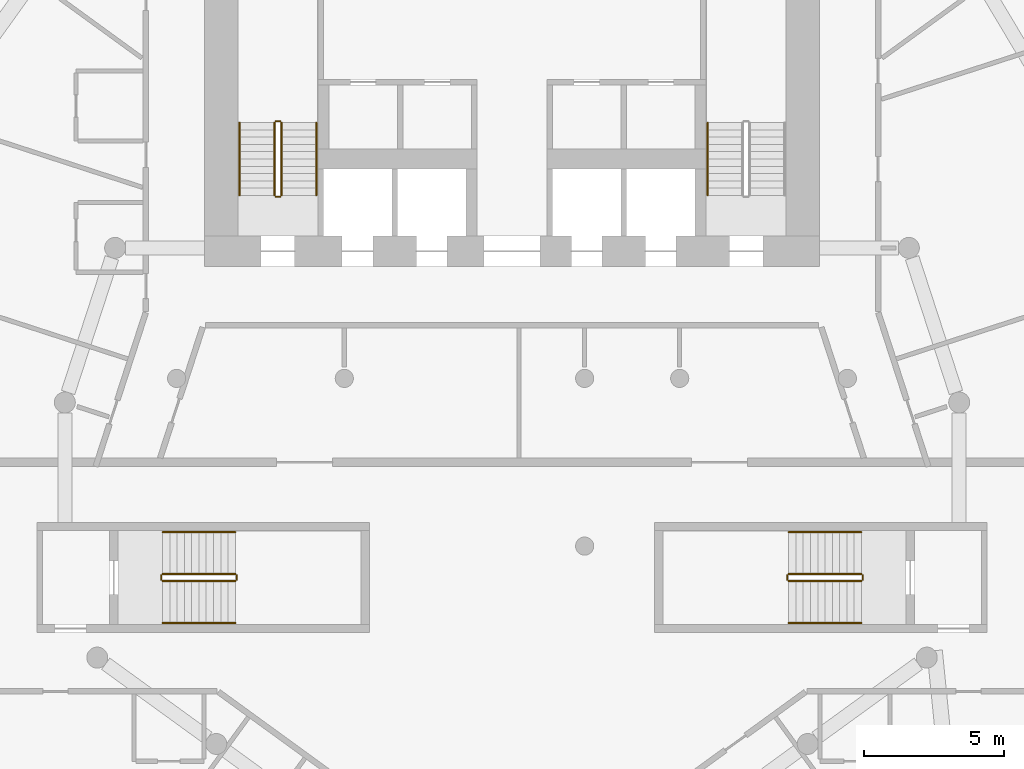
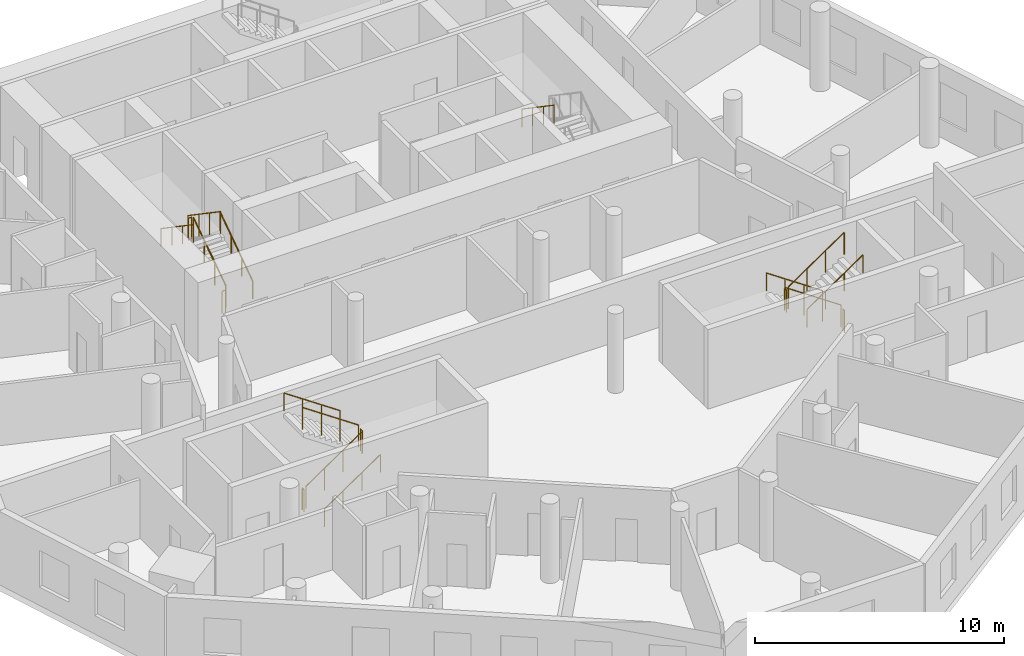
# One storey, part 8 of 9: 19 railings.
"""IFC4 building model written with IfcOpenShell, lengths in metres."""

from ifc_helpers import new_model, si_unit, direction, frame, origin, origin_2d, place, context, subcontext, project, spatial, circle, extrude, material, type_object, element, save


model = new_model("IFC4")

# Units and contexts
model_context = context("Model", 3, precision=1e-05, world=origin(), true_north=direction((0.0, 1.0)))
body_context = subcontext(model_context, "Body", "Model", "MODEL_VIEW")
ifc_project = project(units=[si_unit("LENGTHUNIT", "METRE"), si_unit("AREAUNIT", "SQUARE_METRE"), si_unit("VOLUMEUNIT", "CUBIC_METRE"), si_unit("PLANEANGLEUNIT", "RADIAN"), si_unit("MASSUNIT", "GRAM", prefix="KILO")], contexts=[model_context])

# Site, building, storey
site_placement = place(None, origin())
site = spatial("IfcSite", under=ifc_project, at=site_placement, CompositionType="ELEMENT")
building_placement = place(site_placement, origin())
building = spatial("IfcBuilding", under=site, at=building_placement, Name="White Candle Pilgrim Tower", CompositionType="ELEMENT")
storey_placement = place(building_placement, frame((0.0, 0.0, 122.0)))
storey = spatial("IfcBuildingStorey", under=building, at=storey_placement, Name="L27", CompositionType="ELEMENT", Elevation=122.0)

# Railings
ifc_material = material(Name="Stainless steel", Category="steel")
railing_type_1 = type_object("IfcRailingType", Name="Stair guard stainless steel 1100 mm", PredefinedType="GUARDRAIL", material=ifc_material)
railing_1_placement = place(storey_placement, frame((61.75, 73.550048828125, 0.17724609375)))
element("IfcRailing", 1, at=railing_1_placement, inside=storey, type_object=railing_type_1, Name="L27 ST1 stair guard 1", PredefinedType="GUARDRAIL", context=body_context, shape_type="SweptSolid", body=[
    extrude(circle(Radius=0.02392578125, at=origin_2d()), frame((0.0, 0.0, 1.076171875), z_axis=(0.0, 0.826215852431, 0.563353676824), x_axis=(-1.0, 0.0, 0.0)), (0.0, 0.0, 1.0), 3.146728515625),
    extrude(circle(Radius=0.02099609375, at=origin_2d()), origin(), (0.0, 0.0, 1.0), 1.052001953125),
    extrude(circle(Radius=0.02099609375, at=origin_2d()), frame((0.0, 0.86669921875, 0.5908203125)), (0.0, 0.0, 1.0), 1.052001953125),
    extrude(circle(Radius=0.02099609375, at=origin_2d()), frame((0.0, 1.733154296875, 1.181884765625)), (0.0, 0.0, 1.0), 1.052001953125),
    extrude(circle(Radius=0.02099609375, at=origin_2d()), frame((0.0, 2.599853515625, 1.772705078125)), (0.0, 0.0, 1.0), 1.052001953125),
])
railing_2_placement = place(storey_placement, frame((61.699951171875, 76.199951171875, 1.949951171875)))
element("IfcRailing", 2, at=railing_2_placement, inside=storey, type_object=railing_type_1, Name="L27 ST1 stair guard 2", PredefinedType="GUARDRAIL", context=body_context, shape_type="SweptSolid", body=[
    extrude(circle(Radius=0.02392578125, at=origin_2d()), frame((0.0, 0.0, 1.076171875), z_axis=(-1.0, 0.0, 0.0), x_axis=(0.0, -1.0, 0.0)), (0.0, 0.0, 1.0), 0.14990234375),
    extrude(circle(Radius=0.02099609375, at=origin_2d()), origin(), (0.0, 0.0, 1.0), 1.052001953125),
    extrude(circle(Radius=0.02099609375, at=origin_2d()), frame((-0.14990234375, 0.0, 0.0)), (0.0, 0.0, 1.0), 1.052001953125),
])
railing_3_placement = place(storey_placement, frame((61.5, 76.14990234375, 2.127197265625)))
element("IfcRailing", 3, at=railing_3_placement, inside=storey, type_object=railing_type_1, Name="L27 ST1 stair guard 3", PredefinedType="GUARDRAIL", context=body_context, shape_type="SweptSolid", body=[
    extrude(circle(Radius=0.02392578125, at=origin_2d()), frame((0.0, 0.0, 1.076171875), z_axis=(0.0, -0.826215852431, 0.563353676824), x_axis=(1.0, 0.0, 0.0)), (0.0, 0.0, 1.0), 3.146728515625),
    extrude(circle(Radius=0.02099609375, at=origin_2d()), origin(), (0.0, 0.0, 1.0), 1.052001953125),
    extrude(circle(Radius=0.02099609375, at=origin_2d()), frame((0.0, -0.86669921875, 0.5908203125)), (0.0, 0.0, 1.0), 1.052001953125),
    extrude(circle(Radius=0.02099609375, at=origin_2d()), frame((0.0, -1.733154296875, 1.181884765625)), (0.0, 0.0, 1.0), 1.052001953125),
    extrude(circle(Radius=0.02099609375, at=origin_2d()), frame((0.0, -2.599853515625, 1.772705078125)), (0.0, 0.0, 1.0), 1.052001953125),
])
railing_4_placement = place(storey_placement, frame((61.699951171875, 73.5, 0.0)))
element("IfcRailing", 4, at=railing_4_placement, inside=storey, type_object=railing_type_1, Name="L27 ST1 stair guard 4", PredefinedType="GUARDRAIL", context=body_context, shape_type="SweptSolid", body=[
    extrude(circle(Radius=0.02392578125, at=origin_2d()), frame((0.0, 0.0, 1.076171875), z_axis=(-1.0, 0.0, 0.0), x_axis=(0.0, -1.0, 0.0)), (0.0, 0.0, 1.0), 0.14990234375),
    extrude(circle(Radius=0.02099609375, at=origin_2d()), origin(), (0.0, 0.0, 1.0), 1.052001953125),
    extrude(circle(Radius=0.02099609375, at=origin_2d()), frame((-0.14990234375, 0.0, 0.0)), (0.0, 0.0, 1.0), 1.052001953125),
])
railing_5_placement = place(storey_placement, frame((82.5, 60.0, 0.17724609375)))
element("IfcRailing", 5, at=railing_5_placement, inside=storey, type_object=railing_type_1, Name="L27 ST4 stair guard 1", PredefinedType="GUARDRAIL", context=body_context, shape_type="SweptSolid", body=[
    extrude(circle(Radius=0.02392578125, at=origin_2d()), frame((0.0, 0.0, 1.076171875), z_axis=(-0.826240473404, 0.0, 0.563317565952), x_axis=(0.0, -1.0, 0.0)), (0.0, 0.0, 1.0), 3.14697265625),
    extrude(circle(Radius=0.02099609375, at=origin_2d()), origin(), (0.0, 0.0, 1.0), 1.052001953125),
    extrude(circle(Radius=0.02099609375, at=origin_2d()), frame((-0.86669921875, 0.0, 0.5908203125)), (0.0, 0.0, 1.0), 1.052001953125),
    extrude(circle(Radius=0.02099609375, at=origin_2d()), frame((-1.7333984375, 0.0, 1.181884765625)), (0.0, 0.0, 1.0), 1.052001953125),
    extrude(circle(Radius=0.02099609375, at=origin_2d()), frame((-2.60009765625, 0.0, 1.772705078125)), (0.0, 0.0, 1.0), 1.052001953125),
])
railing_6_placement = place(storey_placement, frame((79.85009765625, 59.949951171875, 1.949951171875)))
element("IfcRailing", 6, at=railing_6_placement, inside=storey, type_object=railing_type_1, Name="L27 ST4 stair guard 2", PredefinedType="GUARDRAIL", context=body_context, shape_type="SweptSolid", body=[
    extrude(circle(Radius=0.02392578125, at=origin_2d()), frame((0.0, 0.0, 1.076171875), z_axis=(0.0, -1.0, 0.0), x_axis=(1.0, 0.0, 0.0)), (0.0, 0.0, 1.0), 0.14990234375),
    extrude(circle(Radius=0.02099609375, at=origin_2d()), origin(), (0.0, 0.0, 1.0), 1.052001953125),
    extrude(circle(Radius=0.02099609375, at=origin_2d()), frame((0.0, -0.14990234375, 0.0)), (0.0, 0.0, 1.0), 1.052001953125),
])
railing_7_placement = place(storey_placement, frame((79.89990234375, 59.75, 2.127197265625)))
element("IfcRailing", 7, at=railing_7_placement, inside=storey, type_object=railing_type_1, Name="L27 ST4 stair guard 3", PredefinedType="GUARDRAIL", context=body_context, shape_type="SweptSolid", body=[
    extrude(circle(Radius=0.02392578125, at=origin_2d()), frame((0.0, 0.0, 1.076171875), z_axis=(0.826240473404, 0.0, 0.563317565952), x_axis=(0.0, 1.0, 0.0)), (0.0, 0.0, 1.0), 3.14697265625),
    extrude(circle(Radius=0.02099609375, at=origin_2d()), origin(), (0.0, 0.0, 1.0), 1.052001953125),
    extrude(circle(Radius=0.02099609375, at=origin_2d()), frame((0.86669921875, 0.0, 0.5908203125)), (0.0, 0.0, 1.0), 1.052001953125),
    extrude(circle(Radius=0.02099609375, at=origin_2d()), frame((1.7333984375, 0.0, 1.181884765625)), (0.0, 0.0, 1.0), 1.052001953125),
    extrude(circle(Radius=0.02099609375, at=origin_2d()), frame((2.60009765625, 0.0, 1.772705078125)), (0.0, 0.0, 1.0), 1.052001953125),
])
railing_8_placement = place(storey_placement, frame((82.550048828125, 59.949951171875, 0.0)))
element("IfcRailing", 8, at=railing_8_placement, inside=storey, type_object=railing_type_1, Name="L27 ST4 stair guard 4", PredefinedType="GUARDRAIL", context=body_context, shape_type="SweptSolid", body=[
    extrude(circle(Radius=0.02392578125, at=origin_2d()), frame((0.0, 0.0, 1.076171875), z_axis=(0.0, -1.0, 0.0), x_axis=(1.0, 0.0, 0.0)), (0.0, 0.0, 1.0), 0.14990234375),
    extrude(circle(Radius=0.02099609375, at=origin_2d()), origin(), (0.0, 0.0, 1.0), 1.052001953125),
    extrude(circle(Radius=0.02099609375, at=origin_2d()), frame((0.0, -0.14990234375, 0.0)), (0.0, 0.0, 1.0), 1.052001953125),
])
railing_9_placement = place(storey_placement, frame((57.5, 59.75, 0.17724609375)))
element("IfcRailing", 9, at=railing_9_placement, inside=storey, type_object=railing_type_1, Name="L27 ST5 stair guard 1", PredefinedType="GUARDRAIL", context=body_context, shape_type="SweptSolid", body=[
    extrude(circle(Radius=0.02392578125, at=origin_2d()), frame((0.0, 0.0, 1.076171875), z_axis=(0.826240473404, 0.0, 0.563317565952), x_axis=(0.0, 1.0, 0.0)), (0.0, 0.0, 1.0), 3.14697265625),
    extrude(circle(Radius=0.02099609375, at=origin_2d()), origin(), (0.0, 0.0, 1.0), 1.052001953125),
    extrude(circle(Radius=0.02099609375, at=origin_2d()), frame((0.86669921875, 0.0, 0.5908203125)), (0.0, 0.0, 1.0), 1.052001953125),
    extrude(circle(Radius=0.02099609375, at=origin_2d()), frame((1.7333984375, 0.0, 1.181884765625)), (0.0, 0.0, 1.0), 1.052001953125),
    extrude(circle(Radius=0.02099609375, at=origin_2d()), frame((2.60009765625, 0.0, 1.772705078125)), (0.0, 0.0, 1.0), 1.052001953125),
])
railing_10_placement = place(storey_placement, frame((60.14990234375, 59.800048828125, 1.949951171875)))
element("IfcRailing", 10, at=railing_10_placement, inside=storey, type_object=railing_type_1, Name="L27 ST5 stair guard 2", PredefinedType="GUARDRAIL", context=body_context, shape_type="SweptSolid", body=[
    extrude(circle(Radius=0.02392578125, at=origin_2d()), frame((0.0, 0.0, 1.076171875), z_axis=(0.0, 1.0, 0.0), x_axis=(-1.0, 0.0, 0.0)), (0.0, 0.0, 1.0), 0.14990234375),
    extrude(circle(Radius=0.02099609375, at=origin_2d()), origin(), (0.0, 0.0, 1.0), 1.052001953125),
    extrude(circle(Radius=0.02099609375, at=origin_2d()), frame((0.0, 0.14990234375, 0.0)), (0.0, 0.0, 1.0), 1.052001953125),
])
railing_11_placement = place(storey_placement, frame((60.10009765625, 60.0, 2.127197265625)))
element("IfcRailing", 11, at=railing_11_placement, inside=storey, type_object=railing_type_1, Name="L27 ST5 stair guard 3", PredefinedType="GUARDRAIL", context=body_context, shape_type="SweptSolid", body=[
    extrude(circle(Radius=0.02392578125, at=origin_2d()), frame((0.0, 0.0, 1.076171875), z_axis=(-0.826240473404, 0.0, 0.563317565952), x_axis=(0.0, -1.0, 0.0)), (0.0, 0.0, 1.0), 3.14697265625),
    extrude(circle(Radius=0.02099609375, at=origin_2d()), origin(), (0.0, 0.0, 1.0), 1.052001953125),
    extrude(circle(Radius=0.02099609375, at=origin_2d()), frame((-0.86669921875, 0.0, 0.5908203125)), (0.0, 0.0, 1.0), 1.052001953125),
    extrude(circle(Radius=0.02099609375, at=origin_2d()), frame((-1.7333984375, 0.0, 1.181884765625)), (0.0, 0.0, 1.0), 1.052001953125),
    extrude(circle(Radius=0.02099609375, at=origin_2d()), frame((-2.60009765625, 0.0, 1.772705078125)), (0.0, 0.0, 1.0), 1.052001953125),
])
railing_12_placement = place(storey_placement, frame((57.449951171875, 59.800048828125, 0.0)))
element("IfcRailing", 12, at=railing_12_placement, inside=storey, type_object=railing_type_1, Name="L27 ST5 stair guard 4", PredefinedType="GUARDRAIL", context=body_context, shape_type="SweptSolid", body=[
    extrude(circle(Radius=0.02392578125, at=origin_2d()), frame((0.0, 0.0, 1.076171875), z_axis=(0.0, 1.0, 0.0), x_axis=(-1.0, 0.0, 0.0)), (0.0, 0.0, 1.0), 0.14990234375),
    extrude(circle(Radius=0.02099609375, at=origin_2d()), origin(), (0.0, 0.0, 1.0), 1.052001953125),
    extrude(circle(Radius=0.02099609375, at=origin_2d()), frame((0.0, 0.14990234375, 0.0)), (0.0, 0.0, 1.0), 1.052001953125),
])
railing_type_2 = type_object("IfcRailingType", Name="Stair handrail stainless steel", PredefinedType="HANDRAIL", material=ifc_material)
railing_13_placement = place(storey_placement, frame((63.0, 73.550048828125, 0.17724609375)))
element("IfcRailing", 13, at=railing_13_placement, inside=storey, type_object=railing_type_2, Name="L27 ST1 stair handrail 1", PredefinedType="HANDRAIL", context=body_context, shape_type="SweptSolid", body=[
    extrude(circle(Radius=0.02392578125, at=origin_2d()), frame((0.0, 0.0, 0.8759765625), z_axis=(0.0, 0.826215852431, 0.563353676824), x_axis=(-1.0, 0.0, 0.0)), (0.0, 0.0, 1.0), 3.146728515625),
    extrude(circle(Radius=0.02099609375, at=origin_2d()), origin(), (0.0, 0.0, 1.0), 0.851806640625),
    extrude(circle(Radius=0.02099609375, at=origin_2d()), frame((0.0, 0.86669921875, 0.5908203125)), (0.0, 0.0, 1.0), 0.851806640625),
    extrude(circle(Radius=0.02099609375, at=origin_2d()), frame((0.0, 1.733154296875, 1.181884765625)), (0.0, 0.0, 1.0), 0.851806640625),
    extrude(circle(Radius=0.02099609375, at=origin_2d()), frame((0.0, 2.599853515625, 1.772705078125)), (0.0, 0.0, 1.0), 0.851806640625),
])
for number, where, name in (
    (14, (60.25, 76.14990234375, 2.127197265625), "L27 ST1 stair handrail 2"),
    (15, (77.0, 76.14990234375, 2.127197265625), "L27 ST2 stair handrail 2"),
):
    element("IfcRailing", number, at=place(storey_placement, frame(where)), inside=storey, type_object=railing_type_2, Name=name, PredefinedType="HANDRAIL", context=body_context, shape_type="SweptSolid", body=[
        extrude(circle(Radius=0.02392578125, at=origin_2d()), frame((0.0, 0.0, 0.8759765625), z_axis=(0.0, -0.826215852431, 0.563353676824), x_axis=(1.0, 0.0, 0.0)), (0.0, 0.0, 1.0), 3.146728515625),
        extrude(circle(Radius=0.02099609375, at=origin_2d()), origin(), (0.0, 0.0, 1.0), 0.851806640625),
        extrude(circle(Radius=0.02099609375, at=origin_2d()), frame((0.0, -0.86669921875, 0.5908203125)), (0.0, 0.0, 1.0), 0.851806640625),
        extrude(circle(Radius=0.02099609375, at=origin_2d()), frame((0.0, -1.733154296875, 1.181884765625)), (0.0, 0.0, 1.0), 0.851806640625),
        extrude(circle(Radius=0.02099609375, at=origin_2d()), frame((0.0, -2.599853515625, 1.772705078125)), (0.0, 0.0, 1.0), 0.851806640625),
    ])
railing_14_placement = place(storey_placement, frame((82.5, 61.5, 0.17724609375)))
element("IfcRailing", 16, at=railing_14_placement, inside=storey, type_object=railing_type_2, Name="L27 ST4 stair handrail 1", PredefinedType="HANDRAIL", context=body_context, shape_type="SweptSolid", body=[
    extrude(circle(Radius=0.02392578125, at=origin_2d()), frame((0.0, 0.0, 0.8759765625), z_axis=(-0.826240473404, 0.0, 0.563317565952), x_axis=(0.0, -1.0, 0.0)), (0.0, 0.0, 1.0), 3.14697265625),
    extrude(circle(Radius=0.02099609375, at=origin_2d()), origin(), (0.0, 0.0, 1.0), 0.851806640625),
    extrude(circle(Radius=0.02099609375, at=origin_2d()), frame((-0.86669921875, 0.0, 0.5908203125)), (0.0, 0.0, 1.0), 0.851806640625),
    extrude(circle(Radius=0.02099609375, at=origin_2d()), frame((-1.7333984375, 0.0, 1.181884765625)), (0.0, 0.0, 1.0), 0.851806640625),
    extrude(circle(Radius=0.02099609375, at=origin_2d()), frame((-2.60009765625, 0.0, 1.772705078125)), (0.0, 0.0, 1.0), 0.851806640625),
])
for number, where, name in (
    (17, (79.89990234375, 58.25, 2.127197265625), "L27 ST4 stair handrail 2"),
    (18, (57.5, 58.25, 0.17724609375), "L27 ST5 stair handrail 1"),
):
    element("IfcRailing", number, at=place(storey_placement, frame(where)), inside=storey, type_object=railing_type_2, Name=name, PredefinedType="HANDRAIL", context=body_context, shape_type="SweptSolid", body=[
        extrude(circle(Radius=0.02392578125, at=origin_2d()), frame((0.0, 0.0, 0.8759765625), z_axis=(0.826240473404, 0.0, 0.563317565952), x_axis=(0.0, 1.0, 0.0)), (0.0, 0.0, 1.0), 3.14697265625),
        extrude(circle(Radius=0.02099609375, at=origin_2d()), origin(), (0.0, 0.0, 1.0), 0.851806640625),
        extrude(circle(Radius=0.02099609375, at=origin_2d()), frame((0.86669921875, 0.0, 0.5908203125)), (0.0, 0.0, 1.0), 0.851806640625),
        extrude(circle(Radius=0.02099609375, at=origin_2d()), frame((1.7333984375, 0.0, 1.181884765625)), (0.0, 0.0, 1.0), 0.851806640625),
        extrude(circle(Radius=0.02099609375, at=origin_2d()), frame((2.60009765625, 0.0, 1.772705078125)), (0.0, 0.0, 1.0), 0.851806640625),
    ])
railing_15_placement = place(storey_placement, frame((60.10009765625, 61.5, 2.127197265625)))
element("IfcRailing", 19, at=railing_15_placement, inside=storey, type_object=railing_type_2, Name="L27 ST5 stair handrail 2", PredefinedType="HANDRAIL", context=body_context, shape_type="SweptSolid", body=[
    extrude(circle(Radius=0.02392578125, at=origin_2d()), frame((0.0, 0.0, 0.8759765625), z_axis=(-0.826240473404, 0.0, 0.563317565952), x_axis=(0.0, -1.0, 0.0)), (0.0, 0.0, 1.0), 3.14697265625),
    extrude(circle(Radius=0.02099609375, at=origin_2d()), origin(), (0.0, 0.0, 1.0), 0.851806640625),
    extrude(circle(Radius=0.02099609375, at=origin_2d()), frame((-0.86669921875, 0.0, 0.5908203125)), (0.0, 0.0, 1.0), 0.851806640625),
    extrude(circle(Radius=0.02099609375, at=origin_2d()), frame((-1.7333984375, 0.0, 1.181884765625)), (0.0, 0.0, 1.0), 0.851806640625),
    extrude(circle(Radius=0.02099609375, at=origin_2d()), frame((-2.60009765625, 0.0, 1.772705078125)), (0.0, 0.0, 1.0), 0.851806640625),
])

save(model, "model.ifc")
